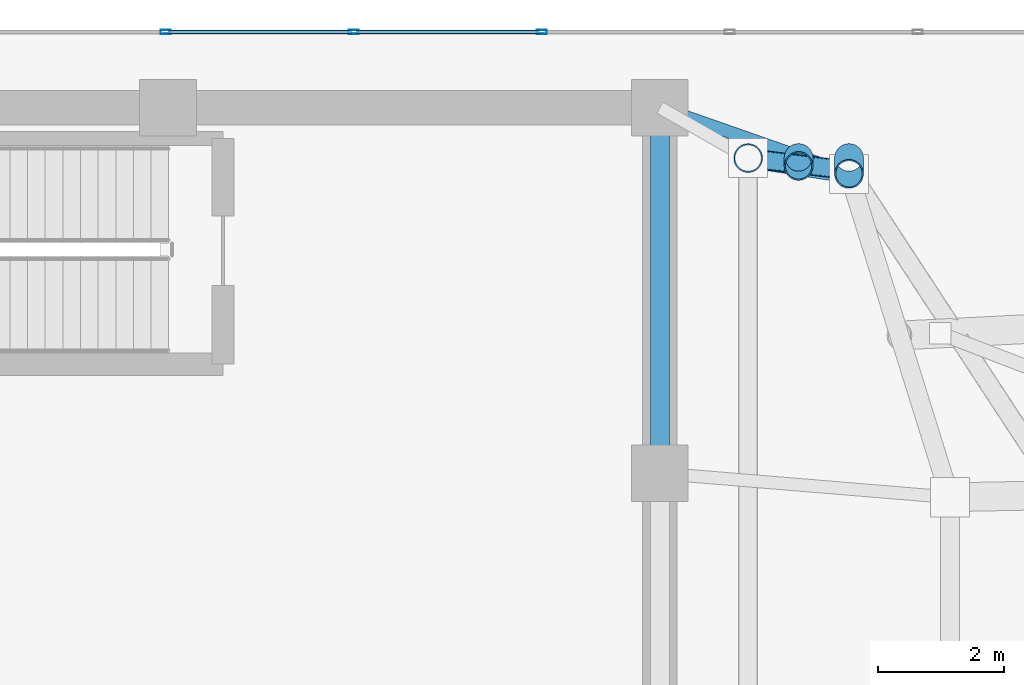
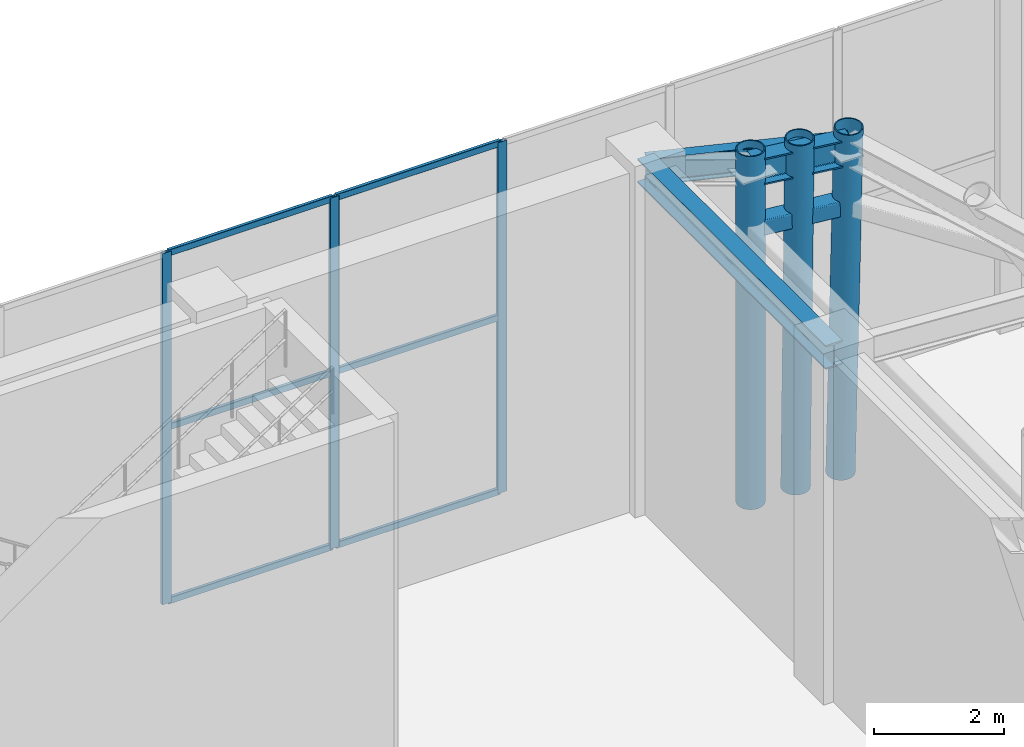
# One storey, part 14 of 19: 13 members, 3 beams, 1 element without a shape of its own.
"""IFC4 building model written with IfcOpenShell, lengths in metres."""

import ifcopenshell
import ifcopenshell.guid

model = None  # the IFC model being written
_history = None  # IfcOwnerHistory: only IFC2X3 demands one
_inside = {}  # id of a spatial element -> (the spatial element, [elements in it])
_under = {}  # id of a project, library or spatial element -> (it, [spatial elements below it])
_declared = {}  # id of a project -> (the project, [libraries it declares])
_typed = {}  # id of a type object -> (the type object, [elements of that type])
_made_of = {}  # id of a material, layer set ... -> (it, [elements and type objects made of it])


def new_model(schema):
    """Start an empty IFC model of exactly this schema.

    Asked for "IFC4X3", IfcOpenShell would pick the latest addendum, in which some entities
    have other attributes; the version numbers below select the first issue.
    IFC2X3 requires an IfcOwnerHistory on every rooted entity: one is made here for all.
    """
    global model, _history
    if schema == "IFC4X3":
        model = ifcopenshell.file(schema_version=(4, 3, 0, 0))
    else:
        model = ifcopenshell.file(schema=schema)
    _inside.clear()
    _under.clear()
    _declared.clear()
    _typed.clear()
    _made_of.clear()
    _history = None
    if model.schema == "IFC2X3":
        org = make("IfcOrganization", Name="unknown")
        user = make(
            "IfcPersonAndOrganization",
            ThePerson=make("IfcPerson", FamilyName="unknown"),
            TheOrganization=org,
        )
        app = make(
            "IfcApplication",
            ApplicationDeveloper=org,
            Version="unknown",
            ApplicationFullName="unknown",
            ApplicationIdentifier="unknown",
        )
        _history = make(
            "IfcOwnerHistory",
            OwningUser=user,
            OwningApplication=app,
            ChangeAction="ADDED",
            CreationDate=0,
        )
    return model


def make(cls, **values):
    """One entity of the class cls with the attributes given. An attribute that is None is left unset."""
    return model.create_entity(
        cls, **{name: value for name, value in values.items() if value is not None}
    )


def rooted(cls, **values):
    """An entity with a GlobalId (a new one), such as an element, a storey or a relation."""
    return make(cls, GlobalId=ifcopenshell.guid.new(), OwnerHistory=_history, **values)


def si_unit(unit_type, name, prefix=None):
    """IfcSIUnit, for example si_unit("LENGTHUNIT", "METRE", prefix="MILLI")."""
    return make("IfcSIUnit", UnitType=unit_type, Prefix=prefix, Name=name)


def assignment(units):
    """IfcUnitAssignment: the units of a project."""
    return None if units is None else make("IfcUnitAssignment", Units=units)


def point(xyz):
    """IfcCartesianPoint."""
    return None if xyz is None else make("IfcCartesianPoint", Coordinates=xyz)


def direction(xyz):
    """IfcDirection."""
    return None if xyz is None else make("IfcDirection", DirectionRatios=xyz)


def frame(location, z_axis=None, x_axis=None):
    """IfcAxis2Placement3D, a coordinate frame: its origin and axes. An axis left out is left unset."""
    return make(
        "IfcAxis2Placement3D",
        Location=point(location),
        Axis=direction(z_axis),
        RefDirection=direction(x_axis),
    )


def frame_2d(location, x_axis=None):
    """IfcAxis2Placement2D, a coordinate frame in the plane: its origin and x axis."""
    return make(
        "IfcAxis2Placement2D", Location=point(location), RefDirection=direction(x_axis)
    )


def origin():
    """The frame at (0, 0, 0) with its axes left unset."""
    return frame((0.0, 0.0, 0.0))


def origin_2d():
    """The frame at (0, 0) in the plane with its x axis left unset."""
    return frame_2d((0.0, 0.0))


def place(relative_to, where):
    """IfcLocalPlacement: puts the frame where relative to a parent placement (None: the world)."""
    return make(
        "IfcLocalPlacement", PlacementRelTo=relative_to, RelativePlacement=where
    )


def context(
    kind, dimensions, precision=None, world=None, true_north=None, identifier=None
):
    """IfcGeometricRepresentationContext, for example the 3D "Model" context."""
    return make(
        "IfcGeometricRepresentationContext",
        ContextIdentifier=identifier,
        ContextType=kind,
        CoordinateSpaceDimension=dimensions,
        Precision=precision,
        WorldCoordinateSystem=world,
        TrueNorth=true_north,
    )


def subcontext(parent, identifier, kind, view, scale=None):
    """IfcGeometricRepresentationSubContext, for example "Body" below "Model"."""
    return make(
        "IfcGeometricRepresentationSubContext",
        ContextIdentifier=identifier,
        ContextType=kind,
        ParentContext=parent,
        TargetScale=scale,
        TargetView=view,
    )


def project(units=None, contexts=None):
    """IfcProject with its units and contexts."""
    return rooted(
        "IfcProject",
        Name="project",
        RepresentationContexts=contexts,
        UnitsInContext=assignment(units),
    )


def spatial(cls, under=None, at=None, **own):
    """A site, building, storey or space (cls), placed at a placement, below another one or the project."""
    s = rooted(cls, ObjectPlacement=at, **own)
    if under is not None:
        _under.setdefault(under.id(), (under, []))[1].append(s)
    return s


def profile(cls, at=None, kind="AREA", **sizes):
    """A parametric profile (cls). Its sizes go by their IFC names, for example OverallWidth=200.0."""
    return make(cls, ProfileType=kind, Position=at, **sizes)


def hollow_rectangle(**sizes):
    """IfcRectangleHollowProfileDef."""
    return profile("IfcRectangleHollowProfileDef", **sizes)


def hollow_circle(**sizes):
    """IfcCircleHollowProfileDef."""
    return profile("IfcCircleHollowProfileDef", **sizes)


def i_section(**sizes):
    """IfcIShapeProfileDef."""
    return profile("IfcIShapeProfileDef", **sizes)


def extrude(swept, where, along, depth):
    """IfcExtrudedAreaSolid: the profile swept, set in the frame where, extruded along a direction by depth."""
    return make(
        "IfcExtrudedAreaSolid",
        SweptArea=swept,
        Position=where,
        ExtrudedDirection=direction(along),
        Depth=depth,
    )


def shape(context_of_items, identifier, shape_type, items):
    """IfcShapeRepresentation: the items that make up one representation, for example the "Body"."""
    return make(
        "IfcShapeRepresentation",
        ContextOfItems=context_of_items,
        RepresentationIdentifier=identifier,
        RepresentationType=shape_type,
        Items=items,
    )


def material(Name=None, Category=None):
    """IfcMaterial."""
    return make("IfcMaterial", Name=Name, Category=Category)


def layer(
    of_material, thickness, ventilated=None, Name=None, Category=None, Priority=None
):
    """IfcMaterialLayer: one layer of a wall or slab, of a material (None: an air gap)."""
    return make(
        "IfcMaterialLayer",
        Material=of_material,
        LayerThickness=thickness,
        IsVentilated=ventilated,
        Name=Name,
        Category=Category,
        Priority=Priority,
    )


def layer_set(layers, Name=None):
    """IfcMaterialLayerSet."""
    return make("IfcMaterialLayerSet", MaterialLayers=layers, LayerSetName=Name)


def material_profile(
    of_material, cross_section, Name=None, Category=None, Priority=None
):
    """IfcMaterialProfile: a cross section and its material."""
    return make(
        "IfcMaterialProfile",
        Name=Name,
        Material=of_material,
        Profile=cross_section,
        Priority=Priority,
        Category=Category,
    )


def profile_set(profiles, Name=None, composite=None):
    """IfcMaterialProfileSet."""
    return make(
        "IfcMaterialProfileSet",
        Name=Name,
        MaterialProfiles=profiles,
        CompositeProfile=composite,
    )


def made_of(thing, what):
    """Note that an element or type object is made of a material, layer set ...; save() writes the relation."""
    if what is not None:
        _made_of.setdefault(what.id(), (what, []))[1].append(thing)
    return thing


def type_object(cls, material=None, **own):
    """A type object (cls), such as IfcWallType, which elements share."""
    return made_of(rooted(cls, **own), material)


def element(
    cls,
    number,
    at=None,
    inside=None,
    cuts=None,
    type_object=None,
    material=None,
    context=None,
    identifier="Body",
    shape_type=None,
    held_by="IfcProductDefinitionShape",
    body=None,
    shapes=None,
    **own,
):
    """One element of the class cls, such as IfcWall. Its Tag is "e" and its number.

    at: its placement. inside: the storey or other place that contains it. cuts: it is an
    opening in that element (IfcRelVoidsElement). A single representation is given by context,
    identifier, shape_type and body (its items); several are given by shapes. held_by: the class
    of the entity that holds the representations. save() writes the other relations.
    """
    e = rooted(cls, Tag="e%d" % number, ObjectPlacement=at, **own)
    if body is not None:
        shapes = [shape(context, identifier, shape_type, body)]
    if shapes is not None:
        e.Representation = make(held_by, Representations=shapes)
    if inside is not None:
        _inside.setdefault(inside.id(), (inside, []))[1].append(e)
    if cuts is not None:
        rooted(
            "IfcRelVoidsElement", RelatingBuildingElement=cuts, RelatedOpeningElement=e
        )
    if type_object is not None:
        _typed.setdefault(type_object.id(), (type_object, []))[1].append(e)
    return made_of(e, material)


def aggregate(whole, parts):
    """IfcRelAggregates: a whole, such as a stair, and the parts it consists of."""
    return rooted("IfcRelAggregates", RelatingObject=whole, RelatedObjects=parts)


def save(model, path):
    """Write the relations noted so far, then the file.

    IfcRelAggregates (storeys below a building ...), IfcRelContainedInSpatialStructure (elements
    in a storey), IfcRelDefinesByType, IfcRelAssociatesMaterial and IfcRelDeclares: one each for
    every whole, place, type object, material and project.
    """
    for whole, parts in _under.values():
        aggregate(whole, parts)
    for where, things in _inside.values():
        rooted(
            "IfcRelContainedInSpatialStructure",
            RelatedElements=things,
            RelatingStructure=where,
        )
    for kind, things in _typed.values():
        rooted("IfcRelDefinesByType", RelatedObjects=things, RelatingType=kind)
    for what, things in _made_of.values():
        rooted("IfcRelAssociatesMaterial", RelatedObjects=things, RelatingMaterial=what)
    for by, libraries in _declared.values():
        rooted("IfcRelDeclares", RelatingContext=by, RelatedDefinitions=libraries)
    model.write(path)


model = new_model("IFC4")

# Units and contexts
model_context = context("Model", 3, precision=1e-05, world=origin(), true_north=direction((0.0, 1.0)))
body_context = subcontext(model_context, "Body", "Model", "MODEL_VIEW")
ifc_project = project(units=[si_unit("LENGTHUNIT", "METRE"), si_unit("AREAUNIT", "SQUARE_METRE"), si_unit("VOLUMEUNIT", "CUBIC_METRE"), si_unit("PLANEANGLEUNIT", "RADIAN"), si_unit("MASSUNIT", "GRAM", prefix="KILO")], contexts=[model_context])

# Site, building, storey
site_placement = place(None, origin())
site = spatial("IfcSite", under=ifc_project, at=site_placement, CompositionType="ELEMENT")
building_placement = place(site_placement, origin())
building = spatial("IfcBuilding", under=site, at=building_placement, Name="An Khanh Terracotta Commons", CompositionType="ELEMENT")
storey_placement = place(building_placement, frame((0.0, 0.0, 328.800048828125)))
storey = spatial("IfcBuildingStorey", under=building, at=storey_placement, Name="L82 Crown Faceted Taper", CompositionType="ELEMENT", Elevation=328.800048828125)

# Beams
ifc_material_1 = material(Name="Steel S355J2", Category="steel")
ifc_material_profile_1 = material_profile(ifc_material_1, i_section(OverallWidth=0.300048828125, OverallDepth=0.449951171875, WebThickness=0.013916015625, FlangeThickness=0.02587890625, FilletRadius=0.027099609375, at=origin_2d()), Name="HEB450")
ifc_profile_set_1 = profile_set([ifc_material_profile_1], Name="Steel S355J2")
beam_type_1 = type_object("IfcBeamType", Name="BM-HEB450", PredefinedType="BEAM", material=ifc_profile_set_1)
beam_1_placement = place(storey_placement, frame((37.199951171875, 27.800048828125, 6.155029296875), z_axis=(0.0, 1.0, 0.0), x_axis=(-1.0, 0.0, 0.0)))
element("IfcBeam", 1, at=beam_1_placement, inside=storey, type_object=beam_type_1, Name="L82 Crown Faceted Taper Core East Coupling Girder 3", PredefinedType="BEAM", context=body_context, shape_type="SweptSolid", body=[
    extrude(i_section(OverallWidth=0.300048828125, OverallDepth=0.449951171875, WebThickness=0.013916015625, FlangeThickness=0.02587890625, FilletRadius=0.027099609375, at=origin_2d()), origin(), (0.0, 0.0, 1.0), 5.800048828125),
])
ifc_material_profile_2 = material_profile(ifc_material_1, i_section(OverallWidth=0.300048828125, OverallDepth=0.5, WebThickness=0.014404296875, FlangeThickness=0.028076171875, FilletRadius=0.027099609375, at=origin_2d()), Name="HEB500")
ifc_profile_set_2 = profile_set([ifc_material_profile_2], Name="Steel S355J2")
beam_type_2 = type_object("IfcBeamType", Name="BM-HEB500", PredefinedType="BEAM", material=ifc_profile_set_2)
beam_2_placement = place(storey_placement, frame((40.199951171875, 32.550048828125, 6.1298828125), z_axis=(-0.988009877714, 0.154390678282, 0.0), x_axis=(-0.154390678282, -0.988009877714, 0.0)))
element("IfcBeam", 2, at=beam_2_placement, inside=storey, type_object=beam_type_2, Name="L82 Crown Faceted Taper CROWN FRAME Ring Beam 5", PredefinedType="BEAM", context=body_context, shape_type="SweptSolid", body=[
    extrude(i_section(OverallWidth=0.300048828125, OverallDepth=0.5, WebThickness=0.014404296875, FlangeThickness=0.028076171875, FilletRadius=0.027099609375, at=origin_2d()), origin(), (0.0, 0.0, 1.0), 1.619384765625),
])
ifc_material_profile_3 = material_profile(ifc_material_1, i_section(OverallWidth=0.199951171875, OverallDepth=0.5, WebThickness=0.01025390625, FlangeThickness=0.01611328125, FilletRadius=0.02099609375, at=origin_2d()), Name="IPE500")
ifc_profile_set_3 = profile_set([ifc_material_profile_3], Name="Steel S355J2")
beam_type_3 = type_object("IfcBeamType", Name="BM-IPE500", PredefinedType="BEAM", material=ifc_profile_set_3)
beam_3_placement = place(storey_placement, frame((37.199951171875, 33.60009765625, 6.1298828125), z_axis=(0.943853566271, -0.330364110395, 0.0), x_axis=(0.330364110395, 0.943853566271, 0.0)))
element("IfcBeam", 3, at=beam_3_placement, inside=storey, type_object=beam_type_3, Name="L82 Crown Faceted Taper Crown Radial Tie Beam 5", PredefinedType="BEAM", context=body_context, shape_type="SweptSolid", body=[
    extrude(i_section(OverallWidth=0.199951171875, OverallDepth=0.5, WebThickness=0.01025390625, FlangeThickness=0.01611328125, FilletRadius=0.02099609375, at=origin_2d()), origin(), (0.0, 0.0, 1.0), 3.178466796875),
])

# Members
ifc_material_2 = material(Name="Steel S460ML", Category="steel")
ifc_material_profile_4 = material_profile(ifc_material_2, hollow_circle(Radius=0.228515625, WallThickness=0.02001953125, at=origin_2d()), Name="CHS457x20")
ifc_profile_set_4 = profile_set([ifc_material_profile_4], Name="Steel S460ML")
member_type_1 = type_object("IfcMemberType", Name="CROWN FRAME RIB CHS457", PredefinedType="STRUT", material=ifc_profile_set_4)
member_1_placement = place(storey_placement, frame((40.199951171875, 32.800048828125, -0.1201171875), z_axis=(0.0, -0.037623171035, 0.999291997867), x_axis=(1.0, 0.0, 0.0)))
element("IfcMember", 4, at=member_1_placement, inside=storey, type_object=member_type_1, Name="L82 Crown Faceted Taper CROWN FRAME Corner Raking Rib 5", PredefinedType="STRUT", context=body_context, shape_type="SweptSolid", body=[
    extrude(hollow_circle(Radius=0.228515625, WallThickness=0.02001953125, at=origin_2d()), origin(), (0.0, 0.0, 1.0), 6.644775390625),
])
member_2_placement = place(storey_placement, frame((39.39990234375, 32.800048828125, -0.1201171875), z_axis=(0.0, -0.018821578921, 0.999822858394), x_axis=(1.0, 0.0, 0.0)))
element("IfcMember", 5, at=member_2_placement, inside=storey, type_object=member_type_1, Name="L82 Crown Faceted Taper CROWN FRAME Facet Strut 5", PredefinedType="STRUT", context=body_context, shape_type="SweptSolid", body=[
    extrude(hollow_circle(Radius=0.228515625, WallThickness=0.02001953125, at=origin_2d()), origin(), (0.0, 0.0, 1.0), 6.641357421875),
])
member_3_placement = place(storey_placement, frame((38.60009765625, 32.800048828125, -0.1201171875), z_axis=(0.0, 0.0, 1.0), x_axis=(1.0, 0.0, 0.0)))
element("IfcMember", 6, at=member_3_placement, inside=storey, type_object=member_type_1, Name="L82 Crown Faceted Taper CROWN FRAME Corner Raking Rib 6", PredefinedType="STRUT", context=body_context, shape_type="SweptSolid", body=[
    extrude(hollow_circle(Radius=0.228515625, WallThickness=0.02001953125, at=origin_2d()), origin(), (0.0, 0.0, 1.0), 6.64013671875),
])
ifc_material_profile_5 = material_profile(ifc_material_2, hollow_rectangle(XDim=0.300048828125, YDim=0.300048828125, WallThickness=0.01611328125, InnerFilletRadius=0.01611328125, OuterFilletRadius=0.031982421875, at=origin_2d()), Name="SHS300x300x16")
ifc_profile_set_5 = profile_set([ifc_material_profile_5], Name="Steel S460ML")
member_type_2 = type_object("IfcMemberType", Name="CROWN FRAME RING SHS300", PredefinedType="CHORD", material=ifc_profile_set_5)
member_4_placement = place(storey_placement, frame((40.199951171875, 32.60498046875, 5.058837890625), z_axis=(-0.992648541085, 0.121032532325, 0.0), x_axis=(-0.121032532325, -0.992648541085, 0.0)))
element("IfcMember", 7, at=member_4_placement, inside=storey, type_object=member_type_2, Name="L82 Crown Faceted Taper CROWN FRAME Sill Ring Chord 5", PredefinedType="CHORD", context=body_context, shape_type="SweptSolid", body=[
    extrude(hollow_rectangle(XDim=0.300048828125, YDim=0.300048828125, WallThickness=0.01611328125, InnerFilletRadius=0.01611328125, OuterFilletRadius=0.031982421875, at=origin_2d()), origin(), (0.0, 0.0, 1.0), 1.61181640625),
])

# Curtain wall, members
ifc_material_3 = material(Name="Anodised Aluminium 6063-T6", Category="aluminium")
ifc_layer = layer(ifc_material_3, 0.18994140625, Name="Anodised Aluminium 6063-T6")
ifc_layer_set = layer_set([ifc_layer], Name="Anodised Aluminium 6063-T6")
curtain_wall_type = type_object("IfcCurtainWallType", Name="CW-SYS-06", PredefinedType="USERDEFINED", material=ifc_layer_set)
curtain_wall_placement = place(storey_placement, origin())
curtain_wall = element("IfcCurtainWall", 8, at=curtain_wall_placement, inside=storey, type_object=curtain_wall_type, Name="L82 Crown Faceted Taper CW-06 Unitised Curtain Wall CW-L82-20", ObjectType="UNITISED CURTAIN WALL", PredefinedType="USERDEFINED")
ifc_material_profile_6 = material_profile(ifc_material_3, hollow_rectangle(XDim=0.06494140625, YDim=0.1650390625, WallThickness=0.00390625, InnerFilletRadius=0.00390625, OuterFilletRadius=0.008056640625, at=origin_2d()), Name="RHS165x65x4")
ifc_profile_set_6 = profile_set([ifc_material_profile_6], Name="Anodised Aluminium 6063-T6")
member_type_3 = type_object("IfcMemberType", Name="CWM-RHS165x65x4", PredefinedType="MULLION", material=ifc_profile_set_6)
member_5_placement = place(storey_placement, frame((35.326171875, 34.800048828125, 0.0), z_axis=(0.0, 0.0, 1.0), x_axis=(0.0, -1.0, 0.0)))
member_5 = element("IfcMember", 9, at=member_5_placement, type_object=member_type_3, Name="CW-06 mullion 4", PredefinedType="MULLION", context=body_context, shape_type="SweptSolid", body=[
    extrude(hollow_rectangle(XDim=0.06494140625, YDim=0.1650390625, WallThickness=0.00390625, InnerFilletRadius=0.00390625, OuterFilletRadius=0.008056640625, at=origin_2d()), origin(), (0.0, 0.0, 1.0), 6.599853515625),
])
member_6_placement = place(storey_placement, frame((32.3447265625, 34.800048828125, 0.0), z_axis=(0.0, 0.0, 1.0), x_axis=(0.0, -1.0, 0.0)))
member_6 = element("IfcMember", 10, at=member_6_placement, type_object=member_type_3, Name="CW-06 mullion 5", PredefinedType="MULLION", context=body_context, shape_type="SweptSolid", body=[
    extrude(hollow_rectangle(XDim=0.06494140625, YDim=0.1650390625, WallThickness=0.00390625, InnerFilletRadius=0.00390625, OuterFilletRadius=0.008056640625, at=origin_2d()), origin(), (0.0, 0.0, 1.0), 6.599853515625),
])
member_7_placement = place(storey_placement, frame((29.363037109375, 34.800048828125, 0.0), z_axis=(0.0, 0.0, 1.0), x_axis=(0.0, -1.0, 0.0)))
member_7 = element("IfcMember", 11, at=member_7_placement, type_object=member_type_3, Name="CW-06 mullion 6", PredefinedType="MULLION", context=body_context, shape_type="SweptSolid", body=[
    extrude(hollow_rectangle(XDim=0.06494140625, YDim=0.1650390625, WallThickness=0.00390625, InnerFilletRadius=0.00390625, OuterFilletRadius=0.008056640625, at=origin_2d()), origin(), (0.0, 0.0, 1.0), 6.599853515625),
])
ifc_material_profile_7 = material_profile(ifc_material_3, hollow_rectangle(XDim=0.06005859375, YDim=0.1201171875, WallThickness=0.003662109375, InnerFilletRadius=0.003662109375, OuterFilletRadius=0.007080078125, at=origin_2d()), Name="RHS120x60x3.6")
ifc_profile_set_7 = profile_set([ifc_material_profile_7], Name="Anodised Aluminium 6063-T6")
member_type_4 = type_object("IfcMemberType", Name="CWT-RHS120x60x3.6", PredefinedType="USERDEFINED", material=ifc_profile_set_7)
member_8_placement = place(storey_placement, frame((35.293701171875, 34.800048828125, 0.030029296875), z_axis=(-1.0, 0.0, 0.0), x_axis=(0.0, -1.0, 0.0)))
member_8 = element("IfcMember", 12, at=member_8_placement, type_object=member_type_4, Name="CW-06 transom 4.1", ObjectType="TRANSOM", PredefinedType="USERDEFINED", context=body_context, shape_type="SweptSolid", body=[
    extrude(hollow_rectangle(XDim=0.06005859375, YDim=0.1201171875, WallThickness=0.003662109375, InnerFilletRadius=0.003662109375, OuterFilletRadius=0.007080078125, at=origin_2d()), origin(), (0.0, 0.0, 1.0), 2.91650390625),
])
member_9_placement = place(storey_placement, frame((35.293701171875, 34.800048828125, 3.300048828125), z_axis=(-1.0, 0.0, 0.0), x_axis=(0.0, -1.0, 0.0)))
member_9 = element("IfcMember", 13, at=member_9_placement, type_object=member_type_4, Name="CW-06 transom 4.2", ObjectType="TRANSOM", PredefinedType="USERDEFINED", context=body_context, shape_type="SweptSolid", body=[
    extrude(hollow_rectangle(XDim=0.06005859375, YDim=0.1201171875, WallThickness=0.003662109375, InnerFilletRadius=0.003662109375, OuterFilletRadius=0.007080078125, at=origin_2d()), origin(), (0.0, 0.0, 1.0), 2.91650390625),
])
member_10_placement = place(storey_placement, frame((35.293701171875, 34.800048828125, 6.570068359375), z_axis=(-1.0, 0.0, 0.0), x_axis=(0.0, -1.0, 0.0)))
member_10 = element("IfcMember", 14, at=member_10_placement, type_object=member_type_4, Name="CW-06 transom 4.3", ObjectType="TRANSOM", PredefinedType="USERDEFINED", context=body_context, shape_type="SweptSolid", body=[
    extrude(hollow_rectangle(XDim=0.06005859375, YDim=0.1201171875, WallThickness=0.003662109375, InnerFilletRadius=0.003662109375, OuterFilletRadius=0.007080078125, at=origin_2d()), origin(), (0.0, 0.0, 1.0), 2.91650390625),
])
member_11_placement = place(storey_placement, frame((32.312255859375, 34.800048828125, 0.030029296875), z_axis=(-1.0, 0.0, 0.0), x_axis=(0.0, -1.0, 0.0)))
member_11 = element("IfcMember", 15, at=member_11_placement, type_object=member_type_4, Name="CW-06 transom 5.1", ObjectType="TRANSOM", PredefinedType="USERDEFINED", context=body_context, shape_type="SweptSolid", body=[
    extrude(hollow_rectangle(XDim=0.06005859375, YDim=0.1201171875, WallThickness=0.003662109375, InnerFilletRadius=0.003662109375, OuterFilletRadius=0.007080078125, at=origin_2d()), origin(), (0.0, 0.0, 1.0), 2.91650390625),
])
member_12_placement = place(storey_placement, frame((32.312255859375, 34.800048828125, 3.300048828125), z_axis=(-1.0, 0.0, 0.0), x_axis=(0.0, -1.0, 0.0)))
member_12 = element("IfcMember", 16, at=member_12_placement, type_object=member_type_4, Name="CW-06 transom 5.2", ObjectType="TRANSOM", PredefinedType="USERDEFINED", context=body_context, shape_type="SweptSolid", body=[
    extrude(hollow_rectangle(XDim=0.06005859375, YDim=0.1201171875, WallThickness=0.003662109375, InnerFilletRadius=0.003662109375, OuterFilletRadius=0.007080078125, at=origin_2d()), origin(), (0.0, 0.0, 1.0), 2.91650390625),
])
member_13_placement = place(storey_placement, frame((32.312255859375, 34.800048828125, 6.570068359375), z_axis=(-1.0, 0.0, 0.0), x_axis=(0.0, -1.0, 0.0)))
member_13 = element("IfcMember", 17, at=member_13_placement, type_object=member_type_4, Name="CW-06 transom 5.3", ObjectType="TRANSOM", PredefinedType="USERDEFINED", context=body_context, shape_type="SweptSolid", body=[
    extrude(hollow_rectangle(XDim=0.06005859375, YDim=0.1201171875, WallThickness=0.003662109375, InnerFilletRadius=0.003662109375, OuterFilletRadius=0.007080078125, at=origin_2d()), origin(), (0.0, 0.0, 1.0), 2.91650390625),
])
aggregate(curtain_wall, [member_5, member_6, member_7, member_8, member_9, member_10, member_11, member_12, member_13])

save(model, "model.ifc")
